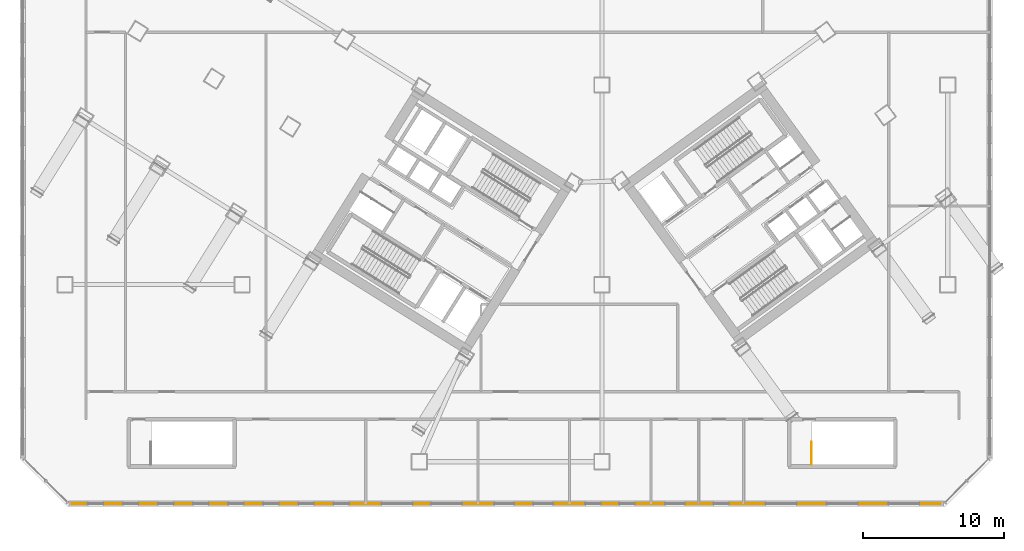
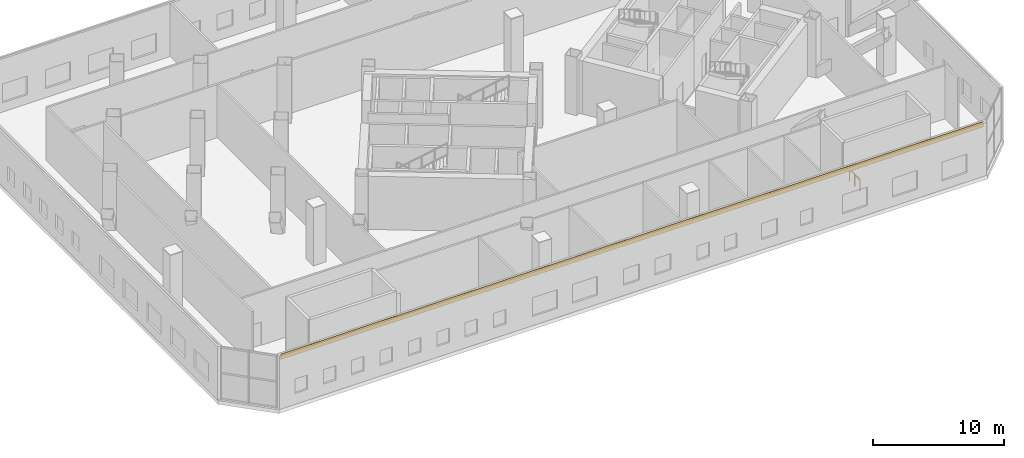
# One storey, part 21 of 23: 1 covering, 1 railing.
"""IFC4 building model written with IfcOpenShell, lengths in metres."""

from ifc_helpers import new_model, si_unit, direction, frame, origin, origin_2d, place, context, subcontext, project, spatial, rectangle, extrude, source, transform, mapped, material, layer, layer_set, type_object, element, save


model = new_model("IFC4")

# Units and contexts
model_context = context("Model", 3, precision=1e-05, world=origin(), true_north=direction((0.0, 1.0)))
body_context = subcontext(model_context, "Body", "Model", "MODEL_VIEW")
ifc_project = project(units=[si_unit("LENGTHUNIT", "METRE"), si_unit("AREAUNIT", "SQUARE_METRE"), si_unit("VOLUMEUNIT", "CUBIC_METRE"), si_unit("PLANEANGLEUNIT", "RADIAN"), si_unit("MASSUNIT", "GRAM", prefix="KILO")], contexts=[model_context])

# Site, building, storey
site_placement = place(None, origin())
site = spatial("IfcSite", under=ifc_project, at=site_placement, CompositionType="ELEMENT")
building_placement = place(site_placement, origin())
building = spatial("IfcBuilding", under=site, at=building_placement, Name="Tlacorven Tower", CompositionType="ELEMENT")
storey_placement = place(building_placement, frame((0.0, 0.0, 18.60009765625)))
storey = spatial("IfcBuildingStorey", under=building, at=storey_placement, Name="L04", CompositionType="ELEMENT", Elevation=18.60009765625)

# Covering
ifc_material_1 = material(Name="Precast concrete C45/55", Category="concrete")
ifc_layer = layer(ifc_material_1, 0.06005859375)
ifc_layer_set = layer_set([ifc_layer], Name="Precast concrete C45/55")
covering_type = type_object("IfcCoveringType", Name="CV-CLD-TERC", PredefinedType="CLADDING", material=ifc_layer_set)
shared_shape_1 = source(origin(), body_context, "Body", "SweptSolid", [
    extrude(rectangle(XDim=61.834228515625, YDim=0.06005859375, at=origin_2d()), origin(), (0.0, 0.0, 1.0), 0.47998046875),
])
covering_placement = place(storey_placement, frame((36.0, 1.60009765625, 4.469970703125), z_axis=(0.0, 0.0, 1.0), x_axis=(-1.0, 0.0, 0.0)))
element("IfcCovering", 1, at=covering_placement, inside=storey, type_object=covering_type, Name="L04 Expressed Terracotta Masonry Spandrel Band 8", PredefinedType="CLADDING", context=body_context, shape_type="MappedRepresentation", body=[
    mapped(shared_shape_1, transform((0.0, 0.0, 0.0), scale=1.0)),
])

# Railing
ifc_material_2 = material(Name="Aluminium and painted steel balustrade", Category="steel")
railing_type = type_object("IfcRailingType", Name="RL-GRD-1100", PredefinedType="GUARDRAIL", material=ifc_material_2)
shared_shape_2 = source(origin(), body_context, "Body", "SweptSolid", [
    extrude(rectangle(XDim=0.048095703125, YDim=0.048095703125, at=origin_2d()), frame((0.0, 0.0, 1.076171875), z_axis=(0.0, 1.0, 0.0), x_axis=(-1.0, 0.0, 0.0)), (0.0, 0.0, 1.0), 1.60009765625),
    extrude(rectangle(XDim=0.0419921875, YDim=0.0419921875, at=origin_2d()), origin(), (0.0, 0.0, 1.0), 1.052001953125),
    extrude(rectangle(XDim=0.0419921875, YDim=0.0419921875, at=origin_2d()), frame((0.0, 0.800048828125, 0.0)), (0.0, 0.0, 1.0), 1.052001953125),
    extrude(rectangle(XDim=0.0419921875, YDim=0.0419921875, at=origin_2d()), frame((0.0, 1.60009765625, 0.0)), (0.0, 0.0, 1.0), 1.052001953125),
])
railing_placement = place(storey_placement, frame((57.699951171875, 4.39990234375, 0.0)))
element("IfcRailing", 2, at=railing_placement, inside=storey, type_object=railing_type, Name="L04 ST-P2 top well guard 1", PredefinedType="GUARDRAIL", context=body_context, shape_type="MappedRepresentation", body=[
    mapped(shared_shape_2, transform((0.0, 0.0, 0.0), scale=1.0)),
])

save(model, "model.ifc")
